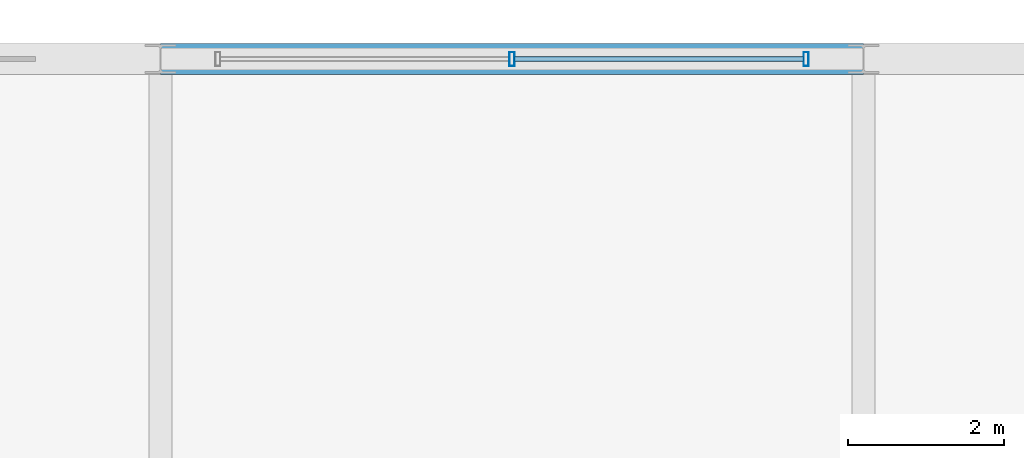
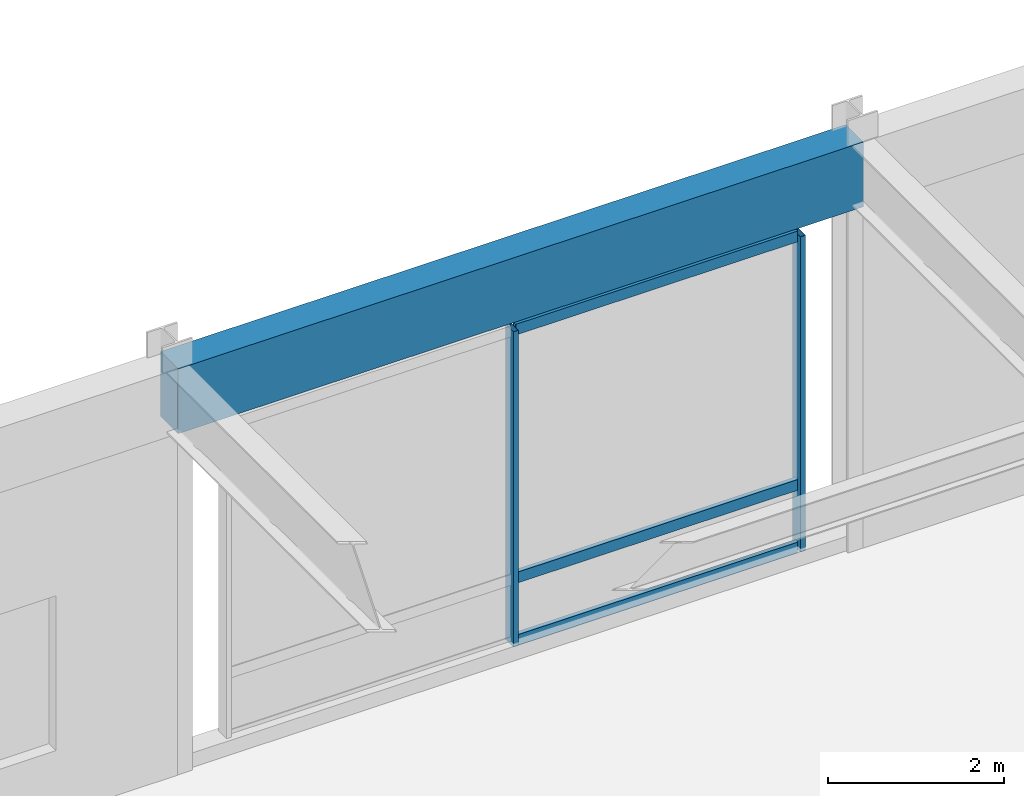
# One storey, part 82 of 108: 5 members, 1 beam, 1 element without a shape of its own.
"""IFC4 building model written with IfcOpenShell, lengths in metres."""

from ifc_helpers import new_model, si_unit, direction, frame, origin, origin_2d, place, context, subcontext, project, spatial, rectangle, hollow_rectangle, extrude, material, material_profile, profile_set, type_object, element, aggregate, save


model = new_model("IFC4")

# Units and contexts
model_context = context("Model", 3, precision=1e-05, world=origin(), true_north=direction((0.0, 1.0)))
body_context = subcontext(model_context, "Body", "Model", "MODEL_VIEW")
ifc_project = project(units=[si_unit("LENGTHUNIT", "METRE"), si_unit("AREAUNIT", "SQUARE_METRE"), si_unit("VOLUMEUNIT", "CUBIC_METRE"), si_unit("PLANEANGLEUNIT", "RADIAN"), si_unit("MASSUNIT", "GRAM", prefix="KILO")], contexts=[model_context])

# Site, building, storey
site_placement = place(None, origin())
site = spatial("IfcSite", under=ifc_project, at=site_placement, CompositionType="ELEMENT")
building_placement = place(site_placement, origin())
building = spatial("IfcBuilding", under=site, at=building_placement, Name="Kaldorvane Square Convention Centre", CompositionType="ELEMENT")
storey_placement = place(building_placement, frame((0.0, 0.0, 12.0)))
storey = spatial("IfcBuildingStorey", under=building, at=storey_placement, Name="L02", CompositionType="ELEMENT", Elevation=12.0)

# Beam
ifc_material_1 = material(Name="Concrete f'c = 42 MPa (Normalweight)", Category="concrete")
ifc_material_profile_1 = material_profile(ifc_material_1, rectangle(XDim=0.399993896484375, YDim=0.899993896484375, at=origin_2d()), Name="RCSP900X400")
ifc_profile_set_1 = profile_set([ifc_material_profile_1], Name="Concrete f'c = 42 MPa (Normalweight)")
beam_type = type_object("IfcBeamType", Name="BM-SP-RC900", PredefinedType="SPANDREL", material=ifc_profile_set_1)
beam_placement = place(storey_placement, frame((156.0, 117.0, 5.1959991455078125), z_axis=(1.0, 0.0, 0.0), x_axis=(0.0, 1.0, 0.0)))
element("IfcBeam", 1, at=beam_placement, inside=storey, type_object=beam_type, Name="Perimeter Spandrel (L02)", PredefinedType="SPANDREL", context=body_context, shape_type="SweptSolid", body=[
    extrude(rectangle(XDim=0.399993896484375, YDim=0.899993896484375, at=origin_2d()), origin(), (0.0, 0.0, 1.0), 9.0),
])

# Curtain wall, members
ifc_material_2 = material(Name="Anodized Aluminum and Low-E Insulated Glazing", Category="aluminium")
curtain_wall_type = type_object("IfcCurtainWallType", Name="CW-UNI-P60-09", PredefinedType="USERDEFINED", material=ifc_material_2)
curtain_wall_placement = place(storey_placement, origin())
curtain_wall = element("IfcCurtainWall", 2, at=curtain_wall_placement, inside=storey, type_object=curtain_wall_type, Name="Curtain Wall CW-02 (L02)", ObjectType="UNITISED GLAZING", PredefinedType="USERDEFINED")
ifc_material_profile_2 = material_profile(ifc_material_2, hollow_rectangle(XDim=0.06500244140625, YDim=0.17999267578125, WallThickness=0.0034942626953125, at=origin_2d()), Name="CWM-180X65")
ifc_profile_set_2 = profile_set([ifc_material_profile_2], Name="Anodized Aluminum and Low-E Insulated Glazing")
member_type_1 = type_object("IfcMemberType", Name="CW-MUL-180", PredefinedType="MULLION", material=ifc_profile_set_2)
member_1_placement = place(storey_placement, frame((164.2675018310547, 117.0, 0.149993896484375), z_axis=(0.0, 0.0, 1.0), x_axis=(-1.0, 0.0, 0.0)))
member_1 = element("IfcMember", 3, at=member_1_placement, type_object=member_type_1, Name="CW-02 mullion 1", PredefinedType="MULLION", context=body_context, shape_type="SweptSolid", body=[
    extrude(hollow_rectangle(XDim=0.06500244140625, YDim=0.17999267578125, WallThickness=0.0034942626953125, at=origin_2d()), origin(), (0.0, 0.0, 1.0), 4.3800048828125),
])
member_2_placement = place(storey_placement, frame((160.5, 117.0, 0.149993896484375), z_axis=(0.0, 0.0, 1.0), x_axis=(-1.0, 0.0, 0.0)))
member_2 = element("IfcMember", 4, at=member_2_placement, type_object=member_type_1, Name="CW-02 mullion 2", PredefinedType="MULLION", context=body_context, shape_type="SweptSolid", body=[
    extrude(hollow_rectangle(XDim=0.06500244140625, YDim=0.17999267578125, WallThickness=0.0034942626953125, at=origin_2d()), origin(), (0.0, 0.0, 1.0), 4.3800048828125),
])
ifc_material_profile_3 = material_profile(ifc_material_2, hollow_rectangle(XDim=0.05999755859375, YDim=0.149993896484375, WallThickness=0.003204345703125, at=origin_2d()), Name="CWT-150X60")
ifc_profile_set_3 = profile_set([ifc_material_profile_3], Name="Anodized Aluminum and Low-E Insulated Glazing")
member_type_2 = type_object("IfcMemberType", Name="CW-TRN-150", PredefinedType="USERDEFINED", material=ifc_profile_set_3)
member_3_placement = place(storey_placement, frame((164.23500061035156, 117.0, 0.17999267578125), z_axis=(-1.0, 0.0, 0.0), x_axis=(0.0, -1.0, 0.0)))
member_3 = element("IfcMember", 5, at=member_3_placement, type_object=member_type_2, Name="CW-02 transom 1.1", ObjectType="TRANSOM", PredefinedType="USERDEFINED", context=body_context, shape_type="SweptSolid", body=[
    extrude(hollow_rectangle(XDim=0.05999755859375, YDim=0.149993896484375, WallThickness=0.003204345703125, at=origin_2d()), origin(), (0.0, 0.0, 1.0), 3.7024993896484375),
])
member_4_placement = place(storey_placement, frame((164.23500061035156, 117.0, 1.0500030517578125), z_axis=(-1.0, 0.0, 0.0), x_axis=(0.0, -1.0, 0.0)))
member_4 = element("IfcMember", 6, at=member_4_placement, type_object=member_type_2, Name="CW-02 transom 1.2", ObjectType="TRANSOM", PredefinedType="USERDEFINED", context=body_context, shape_type="SweptSolid", body=[
    extrude(hollow_rectangle(XDim=0.05999755859375, YDim=0.149993896484375, WallThickness=0.003204345703125, at=origin_2d()), origin(), (0.0, 0.0, 1.0), 3.7024993896484375),
])
member_5_placement = place(storey_placement, frame((164.23500061035156, 117.0, 4.5), z_axis=(-1.0, 0.0, 0.0), x_axis=(0.0, -1.0, 0.0)))
member_5 = element("IfcMember", 7, at=member_5_placement, type_object=member_type_2, Name="CW-02 transom 1.3", ObjectType="TRANSOM", PredefinedType="USERDEFINED", context=body_context, shape_type="SweptSolid", body=[
    extrude(hollow_rectangle(XDim=0.05999755859375, YDim=0.149993896484375, WallThickness=0.003204345703125, at=origin_2d()), origin(), (0.0, 0.0, 1.0), 3.7024993896484375),
])
aggregate(curtain_wall, [member_1, member_2, member_3, member_4, member_5])

save(model, "model.ifc")
